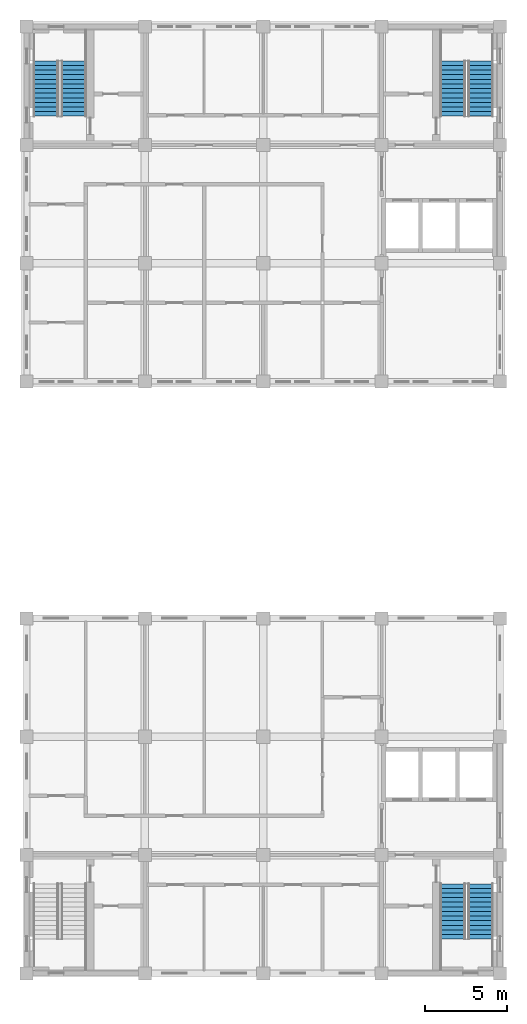
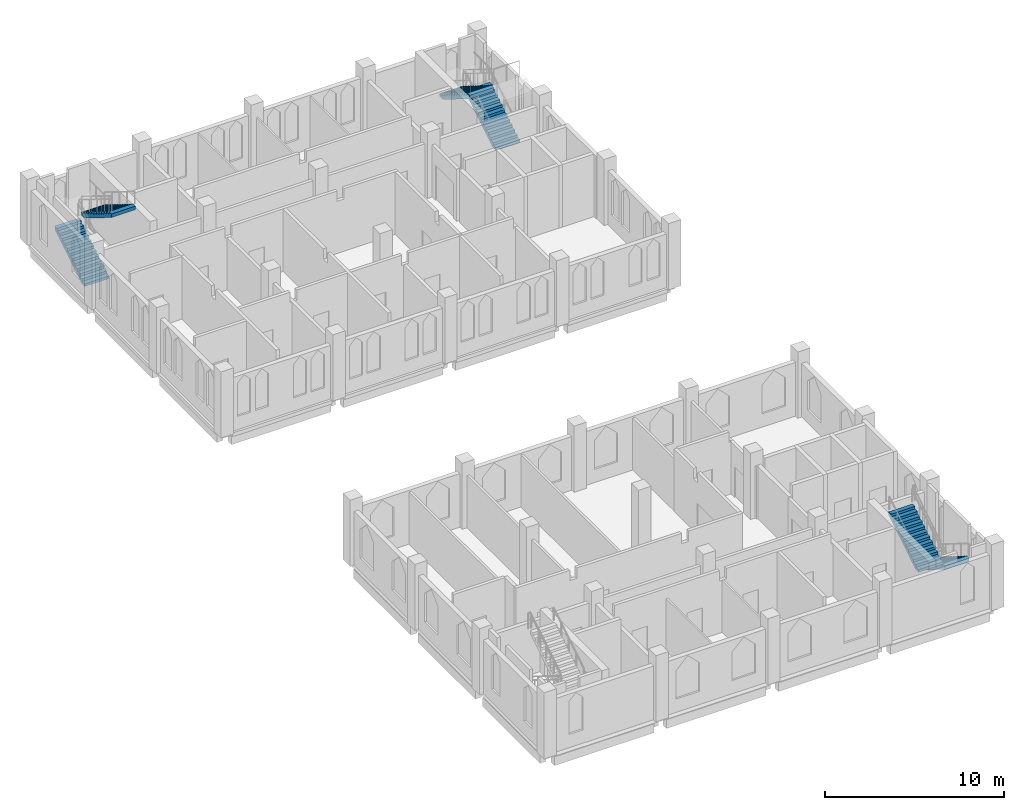
# One storey, part 9 of 11: 6 stair flights, 3 elements without a shape of their own.
"""IFC4 building model written with IfcOpenShell, lengths in metres."""

from ifc_helpers import new_model, si_unit, direction, frame, origin, place, context, subcontext, project, spatial, polyline, outline, extrude, material, type_object, element, aggregate, save


model = new_model("IFC4")

# Units and contexts
model_context = context("Model", 3, precision=1e-05, world=origin(), true_north=direction((0.0, 1.0)))
body_context = subcontext(model_context, "Body", "Model", "MODEL_VIEW")
ifc_project = project(units=[si_unit("LENGTHUNIT", "METRE"), si_unit("AREAUNIT", "SQUARE_METRE"), si_unit("VOLUMEUNIT", "CUBIC_METRE"), si_unit("PLANEANGLEUNIT", "RADIAN"), si_unit("MASSUNIT", "GRAM", prefix="KILO")], contexts=[model_context])

# Site, building, storey
site_placement = place(None, origin())
site = spatial("IfcSite", under=ifc_project, at=site_placement, CompositionType="ELEMENT")
building_placement = place(site_placement, origin())
building = spatial("IfcBuilding", under=site, at=building_placement, Name="Silangan Lancet Faculty of Sciences", CompositionType="ELEMENT")
storey_placement = place(building_placement, frame((0.0, 0.0, 45.300048828125)))
storey = spatial("IfcBuildingStorey", under=building, at=storey_placement, Name="L09", CompositionType="ELEMENT", Elevation=45.300048828125)

# Stair, stair flights
ifc_material_1 = material(Name="Concrete C40/50", Category="concrete")
stair_type = type_object("IfcStairType", Name="TURRET STAIR 1550 TWO-FLIGHT", PredefinedType="HALF_TURN_STAIR", material=ifc_material_1)
stair_1_placement = place(storey_placement, origin())
stair_1 = element("IfcStair", 1, at=stair_1_placement, inside=storey, type_object=stair_type, Name="NT-A stair L09", PredefinedType="HALF_TURN_STAIR")
ifc_material_2 = material(Name="Concrete C40/50", Category="concrete")
stair_flight_type = type_object("IfcStairFlightType", Name="TURRET STAIR FLIGHT 1550", PredefinedType="STRAIGHT", material=ifc_material_2)
stair_flight_1_placement = place(storey_placement, frame((1.175048828125, 52.14990234375, 0.0), z_axis=(0.0, 0.0, 1.0), x_axis=(0.0, 1.0, 0.0)))
stair_flight_1 = element("IfcStairFlight", 2, at=stair_flight_1_placement, type_object=stair_flight_type, Name="STR3 flight 1", NumberOfRisers=13, NumberOfTreads=12, PredefinedType="STRAIGHT", RiserHeight=0.173076923, TreadLength=0.28, context=body_context, shape_type="SweptSolid", body=[
    extrude(outline(polyline([(0.0, 0.0), (0.0, 0.173095703125), (0.280029296875, 0.173095703125), (0.280029296875, 0.34619140625), (0.56005859375, 0.34619140625), (0.56005859375, 0.519287109375), (0.840087890625, 0.519287109375), (0.840087890625, 0.6923828125), (1.1201171875, 0.6923828125), (1.1201171875, 0.865478515625), (1.39990234375, 0.865478515625), (1.39990234375, 1.03857421875), (1.679931640625, 1.03857421875), (1.679931640625, 1.21142578125), (1.9599609375, 1.21142578125), (1.9599609375, 1.384521484375), (2.239990234375, 1.384521484375), (2.239990234375, 1.5576171875), (2.52001953125, 1.5576171875), (2.52001953125, 1.730712890625), (2.800048828125, 1.730712890625), (2.800048828125, 1.90380859375), (3.080078125, 1.90380859375), (3.080078125, 2.076904296875), (3.360107421875, 2.076904296875), (3.360107421875, 2.25), (3.360107421875, 1.841796875), (0.38037109375, 0.0), (0.0, 0.0)])), frame((0.0, 0.77490234375, 0.0), z_axis=(0.0, -1.0, 0.0), x_axis=(1.0, 0.0, 0.0)), (0.0, 0.0, 1.0), 1.550048828125),
])
stair_flight_2_placement = place(storey_placement, frame((2.875, 55.510009765625, 2.25), z_axis=(0.0, 0.0, 1.0), x_axis=(0.0, -1.0, 0.0)))
stair_flight_2 = element("IfcStairFlight", 3, at=stair_flight_2_placement, type_object=stair_flight_type, Name="STR3 flight 2", NumberOfRisers=13, NumberOfTreads=12, PredefinedType="STRAIGHT", RiserHeight=0.173076923, TreadLength=0.28, context=body_context, shape_type="SweptSolid", body=[
    extrude(outline(polyline([(0.0, 0.0), (0.0, 0.173095703125), (0.280029296875, 0.173095703125), (0.280029296875, 0.34619140625), (0.56005859375, 0.34619140625), (0.56005859375, 0.519287109375), (0.840087890625, 0.519287109375), (0.840087890625, 0.6923828125), (1.1201171875, 0.6923828125), (1.1201171875, 0.865478515625), (1.39990234375, 0.865478515625), (1.39990234375, 1.03857421875), (1.679931640625, 1.03857421875), (1.679931640625, 1.21142578125), (1.9599609375, 1.21142578125), (1.9599609375, 1.384521484375), (2.239990234375, 1.384521484375), (2.239990234375, 1.5576171875), (2.52001953125, 1.5576171875), (2.52001953125, 1.730712890625), (2.800048828125, 1.730712890625), (2.800048828125, 1.90380859375), (3.080078125, 1.90380859375), (3.080078125, 2.076904296875), (3.360107421875, 2.076904296875), (3.360107421875, 2.25), (3.360107421875, 1.841796875), (0.38037109375, 0.0), (0.0, 0.0)])), frame((0.0, 0.77490234375, 0.0), z_axis=(0.0, -1.0, 0.0), x_axis=(1.0, 0.0, 0.0)), (0.0, 0.0, 1.0), 1.550048828125),
])
aggregate(stair_1, [stair_flight_1, stair_flight_2])

stair_2_placement = place(storey_placement, origin())
stair_2 = element("IfcStair", 4, at=stair_2_placement, inside=storey, type_object=stair_type, Name="NT-B stair L09", PredefinedType="HALF_TURN_STAIR")
stair_flight_3_placement = place(storey_placement, frame((27.625, 52.14990234375, 0.0), z_axis=(0.0, 0.0, 1.0), x_axis=(0.0, 1.0, 0.0)))
stair_flight_3 = element("IfcStairFlight", 5, at=stair_flight_3_placement, type_object=stair_flight_type, Name="STR4 flight 1", NumberOfRisers=13, NumberOfTreads=12, PredefinedType="STRAIGHT", RiserHeight=0.173076923, TreadLength=0.28, context=body_context, shape_type="SweptSolid", body=[
    extrude(outline(polyline([(0.0, 0.0), (0.0, 0.173095703125), (0.280029296875, 0.173095703125), (0.280029296875, 0.34619140625), (0.56005859375, 0.34619140625), (0.56005859375, 0.519287109375), (0.840087890625, 0.519287109375), (0.840087890625, 0.6923828125), (1.1201171875, 0.6923828125), (1.1201171875, 0.865478515625), (1.39990234375, 0.865478515625), (1.39990234375, 1.03857421875), (1.679931640625, 1.03857421875), (1.679931640625, 1.21142578125), (1.9599609375, 1.21142578125), (1.9599609375, 1.384521484375), (2.239990234375, 1.384521484375), (2.239990234375, 1.5576171875), (2.52001953125, 1.5576171875), (2.52001953125, 1.730712890625), (2.800048828125, 1.730712890625), (2.800048828125, 1.90380859375), (3.080078125, 1.90380859375), (3.080078125, 2.076904296875), (3.360107421875, 2.076904296875), (3.360107421875, 2.25), (3.360107421875, 1.841796875), (0.38037109375, 0.0), (0.0, 0.0)])), frame((0.0, 0.77490234375, 0.0), z_axis=(0.0, -1.0, 0.0), x_axis=(1.0, 0.0, 0.0)), (0.0, 0.0, 1.0), 1.550048828125),
])
stair_flight_4_placement = place(storey_placement, frame((25.925048828125, 55.510009765625, 2.25), z_axis=(0.0, 0.0, 1.0), x_axis=(0.0, -1.0, 0.0)))
stair_flight_4 = element("IfcStairFlight", 6, at=stair_flight_4_placement, type_object=stair_flight_type, Name="STR4 flight 2", NumberOfRisers=13, NumberOfTreads=12, PredefinedType="STRAIGHT", RiserHeight=0.173076923, TreadLength=0.28, context=body_context, shape_type="SweptSolid", body=[
    extrude(outline(polyline([(0.0, 0.0), (0.0, 0.173095703125), (0.280029296875, 0.173095703125), (0.280029296875, 0.34619140625), (0.56005859375, 0.34619140625), (0.56005859375, 0.519287109375), (0.840087890625, 0.519287109375), (0.840087890625, 0.6923828125), (1.1201171875, 0.6923828125), (1.1201171875, 0.865478515625), (1.39990234375, 0.865478515625), (1.39990234375, 1.03857421875), (1.679931640625, 1.03857421875), (1.679931640625, 1.21142578125), (1.9599609375, 1.21142578125), (1.9599609375, 1.384521484375), (2.239990234375, 1.384521484375), (2.239990234375, 1.5576171875), (2.52001953125, 1.5576171875), (2.52001953125, 1.730712890625), (2.800048828125, 1.730712890625), (2.800048828125, 1.90380859375), (3.080078125, 1.90380859375), (3.080078125, 2.076904296875), (3.360107421875, 2.076904296875), (3.360107421875, 2.25), (3.360107421875, 1.841796875), (0.38037109375, 0.0), (0.0, 0.0)])), frame((0.0, 0.77490234375, 0.0), z_axis=(0.0, -1.0, 0.0), x_axis=(1.0, 0.0, 0.0)), (0.0, 0.0, 1.0), 1.550048828125),
])
aggregate(stair_2, [stair_flight_3, stair_flight_4])

stair_3_placement = place(storey_placement, origin())
stair_3 = element("IfcStair", 7, at=stair_3_placement, inside=storey, type_object=stair_type, Name="ST-B stair L09", PredefinedType="HALF_TURN_STAIR")
stair_flight_5_placement = place(storey_placement, frame((27.625, 5.449951171875, 0.0), z_axis=(0.0, 0.0, 1.0), x_axis=(0.0, -1.0, 0.0)))
stair_flight_5 = element("IfcStairFlight", 8, at=stair_flight_5_placement, type_object=stair_flight_type, Name="STR2 flight 1", NumberOfRisers=13, NumberOfTreads=12, PredefinedType="STRAIGHT", RiserHeight=0.173076923, TreadLength=0.28, context=body_context, shape_type="SweptSolid", body=[
    extrude(outline(polyline([(0.0, 0.0), (0.0, 0.173095703125), (0.280029296875, 0.173095703125), (0.280029296875, 0.34619140625), (0.56005859375, 0.34619140625), (0.56005859375, 0.519287109375), (0.840087890625, 0.519287109375), (0.840087890625, 0.6923828125), (1.1201171875, 0.6923828125), (1.1201171875, 0.865478515625), (1.39990234375, 0.865478515625), (1.39990234375, 1.03857421875), (1.679931640625, 1.03857421875), (1.679931640625, 1.21142578125), (1.9599609375, 1.21142578125), (1.9599609375, 1.384521484375), (2.239990234375, 1.384521484375), (2.239990234375, 1.5576171875), (2.52001953125, 1.5576171875), (2.52001953125, 1.730712890625), (2.800048828125, 1.730712890625), (2.800048828125, 1.90380859375), (3.080078125, 1.90380859375), (3.080078125, 2.076904296875), (3.360107421875, 2.076904296875), (3.360107421875, 2.25), (3.360107421875, 1.841796875), (0.38037109375, 0.0), (0.0, 0.0)])), frame((0.0, 0.77490234375, 0.0), z_axis=(0.0, -1.0, 0.0), x_axis=(1.0, 0.0, 0.0)), (0.0, 0.0, 1.0), 1.550048828125),
])
stair_flight_6_placement = place(storey_placement, frame((25.925048828125, 2.090087890625, 2.25), z_axis=(0.0, 0.0, 1.0), x_axis=(0.0, 1.0, 0.0)))
stair_flight_6 = element("IfcStairFlight", 9, at=stair_flight_6_placement, type_object=stair_flight_type, Name="STR2 flight 2", NumberOfRisers=13, NumberOfTreads=12, PredefinedType="STRAIGHT", RiserHeight=0.173076923, TreadLength=0.28, context=body_context, shape_type="SweptSolid", body=[
    extrude(outline(polyline([(0.0, 0.0), (0.0, 0.173095703125), (0.280029296875, 0.173095703125), (0.280029296875, 0.34619140625), (0.56005859375, 0.34619140625), (0.56005859375, 0.519287109375), (0.840087890625, 0.519287109375), (0.840087890625, 0.6923828125), (1.1201171875, 0.6923828125), (1.1201171875, 0.865478515625), (1.39990234375, 0.865478515625), (1.39990234375, 1.03857421875), (1.679931640625, 1.03857421875), (1.679931640625, 1.21142578125), (1.9599609375, 1.21142578125), (1.9599609375, 1.384521484375), (2.239990234375, 1.384521484375), (2.239990234375, 1.5576171875), (2.52001953125, 1.5576171875), (2.52001953125, 1.730712890625), (2.800048828125, 1.730712890625), (2.800048828125, 1.90380859375), (3.080078125, 1.90380859375), (3.080078125, 2.076904296875), (3.360107421875, 2.076904296875), (3.360107421875, 2.25), (3.360107421875, 1.841796875), (0.38037109375, 0.0), (0.0, 0.0)])), frame((0.0, 0.77490234375, 0.0), z_axis=(0.0, -1.0, 0.0), x_axis=(1.0, 0.0, 0.0)), (0.0, 0.0, 1.0), 1.550048828125),
])
aggregate(stair_3, [stair_flight_5, stair_flight_6])

save(model, "model.ifc")
